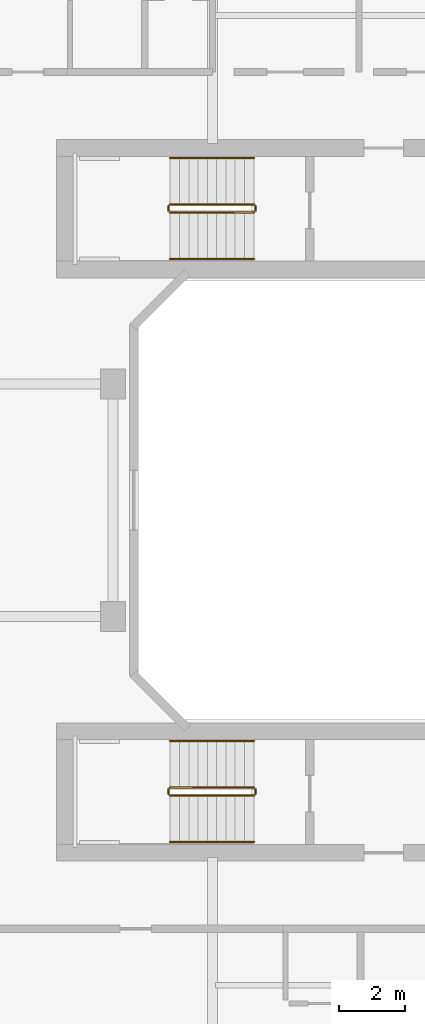
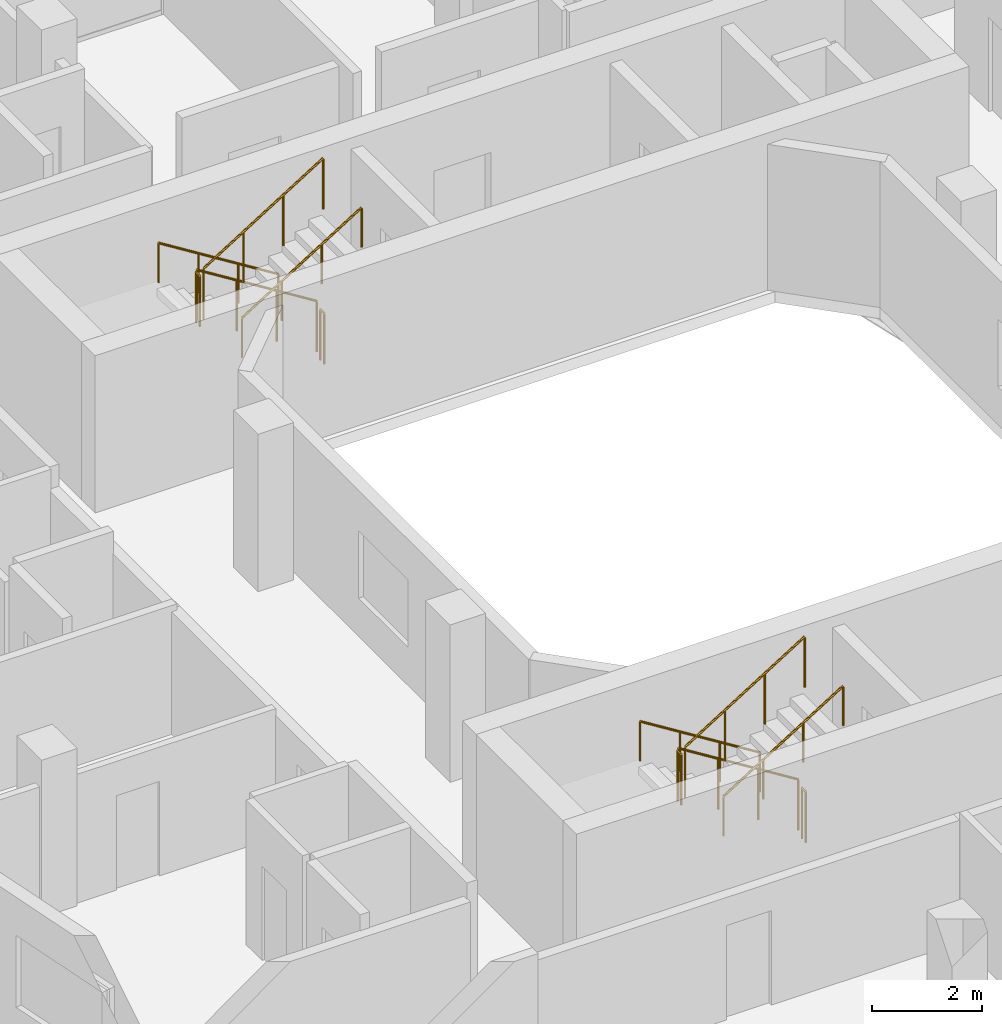
# One storey, part 26 of 26: 12 railings.
"""IFC4 building model written with IfcOpenShell, lengths in metres."""

import ifcopenshell
import ifcopenshell.guid

model = None  # the IFC model being written
_history = None  # IfcOwnerHistory: only IFC2X3 demands one
_inside = {}  # id of a spatial element -> (the spatial element, [elements in it])
_under = {}  # id of a project, library or spatial element -> (it, [spatial elements below it])
_declared = {}  # id of a project -> (the project, [libraries it declares])
_typed = {}  # id of a type object -> (the type object, [elements of that type])
_made_of = {}  # id of a material, layer set ... -> (it, [elements and type objects made of it])


def new_model(schema):
    """Start an empty IFC model of exactly this schema.

    Asked for "IFC4X3", IfcOpenShell would pick the latest addendum, in which some entities
    have other attributes; the version numbers below select the first issue.
    IFC2X3 requires an IfcOwnerHistory on every rooted entity: one is made here for all.
    """
    global model, _history
    if schema == "IFC4X3":
        model = ifcopenshell.file(schema_version=(4, 3, 0, 0))
    else:
        model = ifcopenshell.file(schema=schema)
    _inside.clear()
    _under.clear()
    _declared.clear()
    _typed.clear()
    _made_of.clear()
    _history = None
    if model.schema == "IFC2X3":
        org = make("IfcOrganization", Name="unknown")
        user = make(
            "IfcPersonAndOrganization",
            ThePerson=make("IfcPerson", FamilyName="unknown"),
            TheOrganization=org,
        )
        app = make(
            "IfcApplication",
            ApplicationDeveloper=org,
            Version="unknown",
            ApplicationFullName="unknown",
            ApplicationIdentifier="unknown",
        )
        _history = make(
            "IfcOwnerHistory",
            OwningUser=user,
            OwningApplication=app,
            ChangeAction="ADDED",
            CreationDate=0,
        )
    return model


def make(cls, **values):
    """One entity of the class cls with the attributes given. An attribute that is None is left unset."""
    return model.create_entity(
        cls, **{name: value for name, value in values.items() if value is not None}
    )


def rooted(cls, **values):
    """An entity with a GlobalId (a new one), such as an element, a storey or a relation."""
    return make(cls, GlobalId=ifcopenshell.guid.new(), OwnerHistory=_history, **values)


def si_unit(unit_type, name, prefix=None):
    """IfcSIUnit, for example si_unit("LENGTHUNIT", "METRE", prefix="MILLI")."""
    return make("IfcSIUnit", UnitType=unit_type, Prefix=prefix, Name=name)


def derived_unit(unit_type, elements):
    """IfcDerivedUnit: a product of units, each with its exponent."""
    return make(
        "IfcDerivedUnit",
        Elements=[
            make("IfcDerivedUnitElement", Unit=unit, Exponent=power)
            for unit, power in elements
        ],
        UnitType=unit_type,
    )


def assignment(units):
    """IfcUnitAssignment: the units of a project."""
    return None if units is None else make("IfcUnitAssignment", Units=units)


def point(xyz):
    """IfcCartesianPoint."""
    return None if xyz is None else make("IfcCartesianPoint", Coordinates=xyz)


def direction(xyz):
    """IfcDirection."""
    return None if xyz is None else make("IfcDirection", DirectionRatios=xyz)


def frame(location, z_axis=None, x_axis=None):
    """IfcAxis2Placement3D, a coordinate frame: its origin and axes. An axis left out is left unset."""
    return make(
        "IfcAxis2Placement3D",
        Location=point(location),
        Axis=direction(z_axis),
        RefDirection=direction(x_axis),
    )


def frame_2d(location, x_axis=None):
    """IfcAxis2Placement2D, a coordinate frame in the plane: its origin and x axis."""
    return make(
        "IfcAxis2Placement2D", Location=point(location), RefDirection=direction(x_axis)
    )


def origin():
    """The frame at (0, 0, 0) with its axes left unset."""
    return frame((0.0, 0.0, 0.0))


def origin_2d():
    """The frame at (0, 0) in the plane with its x axis left unset."""
    return frame_2d((0.0, 0.0))


def place(relative_to, where):
    """IfcLocalPlacement: puts the frame where relative to a parent placement (None: the world)."""
    return make(
        "IfcLocalPlacement", PlacementRelTo=relative_to, RelativePlacement=where
    )


def context(
    kind, dimensions, precision=None, world=None, true_north=None, identifier=None
):
    """IfcGeometricRepresentationContext, for example the 3D "Model" context."""
    return make(
        "IfcGeometricRepresentationContext",
        ContextIdentifier=identifier,
        ContextType=kind,
        CoordinateSpaceDimension=dimensions,
        Precision=precision,
        WorldCoordinateSystem=world,
        TrueNorth=true_north,
    )


def subcontext(parent, identifier, kind, view, scale=None):
    """IfcGeometricRepresentationSubContext, for example "Body" below "Model"."""
    return make(
        "IfcGeometricRepresentationSubContext",
        ContextIdentifier=identifier,
        ContextType=kind,
        ParentContext=parent,
        TargetScale=scale,
        TargetView=view,
    )


def project(units=None, contexts=None):
    """IfcProject with its units and contexts."""
    return rooted(
        "IfcProject",
        Name="project",
        RepresentationContexts=contexts,
        UnitsInContext=assignment(units),
    )


def spatial(cls, under=None, at=None, **own):
    """A site, building, storey or space (cls), placed at a placement, below another one or the project."""
    s = rooted(cls, ObjectPlacement=at, **own)
    if under is not None:
        _under.setdefault(under.id(), (under, []))[1].append(s)
    return s


def profile(cls, at=None, kind="AREA", **sizes):
    """A parametric profile (cls). Its sizes go by their IFC names, for example OverallWidth=200.0."""
    return make(cls, ProfileType=kind, Position=at, **sizes)


def circle(**sizes):
    """IfcCircleProfileDef."""
    return profile("IfcCircleProfileDef", **sizes)


def extrude(swept, where, along, depth):
    """IfcExtrudedAreaSolid: the profile swept, set in the frame where, extruded along a direction by depth."""
    return make(
        "IfcExtrudedAreaSolid",
        SweptArea=swept,
        Position=where,
        ExtrudedDirection=direction(along),
        Depth=depth,
    )


def shape(context_of_items, identifier, shape_type, items):
    """IfcShapeRepresentation: the items that make up one representation, for example the "Body"."""
    return make(
        "IfcShapeRepresentation",
        ContextOfItems=context_of_items,
        RepresentationIdentifier=identifier,
        RepresentationType=shape_type,
        Items=items,
    )


def material(Name=None, Category=None):
    """IfcMaterial."""
    return make("IfcMaterial", Name=Name, Category=Category)


def made_of(thing, what):
    """Note that an element or type object is made of a material, layer set ...; save() writes the relation."""
    if what is not None:
        _made_of.setdefault(what.id(), (what, []))[1].append(thing)
    return thing


def type_object(cls, material=None, **own):
    """A type object (cls), such as IfcWallType, which elements share."""
    return made_of(rooted(cls, **own), material)


def element(
    cls,
    number,
    at=None,
    inside=None,
    cuts=None,
    type_object=None,
    material=None,
    context=None,
    identifier="Body",
    shape_type=None,
    held_by="IfcProductDefinitionShape",
    body=None,
    shapes=None,
    **own,
):
    """One element of the class cls, such as IfcWall. Its Tag is "e" and its number.

    at: its placement. inside: the storey or other place that contains it. cuts: it is an
    opening in that element (IfcRelVoidsElement). A single representation is given by context,
    identifier, shape_type and body (its items); several are given by shapes. held_by: the class
    of the entity that holds the representations. save() writes the other relations.
    """
    e = rooted(cls, Tag="e%d" % number, ObjectPlacement=at, **own)
    if body is not None:
        shapes = [shape(context, identifier, shape_type, body)]
    if shapes is not None:
        e.Representation = make(held_by, Representations=shapes)
    if inside is not None:
        _inside.setdefault(inside.id(), (inside, []))[1].append(e)
    if cuts is not None:
        rooted(
            "IfcRelVoidsElement", RelatingBuildingElement=cuts, RelatedOpeningElement=e
        )
    if type_object is not None:
        _typed.setdefault(type_object.id(), (type_object, []))[1].append(e)
    return made_of(e, material)


def aggregate(whole, parts):
    """IfcRelAggregates: a whole, such as a stair, and the parts it consists of."""
    return rooted("IfcRelAggregates", RelatingObject=whole, RelatedObjects=parts)


def save(model, path):
    """Write the relations noted so far, then the file.

    IfcRelAggregates (storeys below a building ...), IfcRelContainedInSpatialStructure (elements
    in a storey), IfcRelDefinesByType, IfcRelAssociatesMaterial and IfcRelDeclares: one each for
    every whole, place, type object, material and project.
    """
    for whole, parts in _under.values():
        aggregate(whole, parts)
    for where, things in _inside.values():
        rooted(
            "IfcRelContainedInSpatialStructure",
            RelatedElements=things,
            RelatingStructure=where,
        )
    for kind, things in _typed.values():
        rooted("IfcRelDefinesByType", RelatedObjects=things, RelatingType=kind)
    for what, things in _made_of.values():
        rooted("IfcRelAssociatesMaterial", RelatedObjects=things, RelatingMaterial=what)
    for by, libraries in _declared.values():
        rooted("IfcRelDeclares", RelatingContext=by, RelatedDefinitions=libraries)
    model.write(path)


model = new_model("IFC4")

# Units and contexts
model_context = context("Model", 3, precision=1e-05, world=origin(), true_north=direction((0.0, 1.0)))
body_context = subcontext(model_context, "Body", "Model", "MODEL_VIEW")
ifc_project = project(units=[si_unit("LENGTHUNIT", "METRE"), si_unit("AREAUNIT", "SQUARE_METRE"), si_unit("VOLUMEUNIT", "CUBIC_METRE"), si_unit("PLANEANGLEUNIT", "RADIAN"), si_unit("MASSUNIT", "GRAM", prefix="KILO"), derived_unit("THERMALTRANSMITTANCEUNIT", [(si_unit("POWERUNIT", "WATT"), 1), (si_unit("LENGTHUNIT", "METRE"), -2), (si_unit("THERMODYNAMICTEMPERATUREUNIT", "KELVIN"), -1)])], contexts=[model_context])

# Site, building, storey
site_placement = place(None, origin())
site = spatial("IfcSite", under=ifc_project, at=site_placement, CompositionType="ELEMENT")
building_placement = place(site_placement, origin())
building = spatial("IfcBuilding", under=site, at=building_placement, Name="Kivonza Crest Hotel", CompositionType="ELEMENT")
storey_placement = place(building_placement, frame((0.0, 0.0, 62.5)))
storey = spatial("IfcBuildingStorey", under=building, at=storey_placement, Name="L16", CompositionType="ELEMENT", Elevation=62.5)

# Railings
ifc_material_1 = material(Name="Brushed stainless steel handrail", Category="steel")
railing_type_1 = type_object("IfcRailingType", Name="RL-HAND-900", PredefinedType="HANDRAIL", material=ifc_material_1)
railing_1_placement = place(storey_placement, frame((73.840087890625, 35.31005859375, 0.175048828125)))
element("IfcRailing", 1, at=railing_1_placement, inside=storey, type_object=railing_type_1, Name="L16 ST-T2-N stair handrail 1", PredefinedType="HANDRAIL", context=body_context, shape_type="SweptSolid", body=[
    extrude(circle(Radius=0.02392578125, at=origin_2d()), frame((0.0, 0.0, 0.8759765625), z_axis=(-0.848007534815, 0.0, 0.529984170421), x_axis=(0.0, -1.0, 0.0)), (0.0, 0.0, 1.0), 2.9716796875),
    extrude(circle(Radius=0.02099609375, at=origin_2d()), origin(), (0.0, 0.0, 1.0), 0.851806640625),
    extrude(circle(Radius=0.02099609375, at=origin_2d()), frame((-0.840087890625, 0.0, 0.52490234375)), (0.0, 0.0, 1.0), 0.851806640625),
    extrude(circle(Radius=0.02099609375, at=origin_2d()), frame((-1.679931640625, 0.0, 1.050048828125)), (0.0, 0.0, 1.0), 0.851806640625),
    extrude(circle(Radius=0.02099609375, at=origin_2d()), frame((-2.52001953125, 0.0, 1.574951171875)), (0.0, 0.0, 1.0), 0.851806640625),
])
railing_2_placement = place(storey_placement, frame((71.320068359375, 32.27001953125, 1.925048828125)))
element("IfcRailing", 2, at=railing_2_placement, inside=storey, type_object=railing_type_1, Name="L16 ST-T2-N stair handrail 2", PredefinedType="HANDRAIL", context=body_context, shape_type="SweptSolid", body=[
    extrude(circle(Radius=0.02392578125, at=origin_2d()), frame((0.0, 0.0, 0.8759765625), z_axis=(0.848007534815, 0.0, 0.529984170421), x_axis=(0.0, 1.0, 0.0)), (0.0, 0.0, 1.0), 2.9716796875),
    extrude(circle(Radius=0.02099609375, at=origin_2d()), origin(), (0.0, 0.0, 1.0), 0.851806640625),
    extrude(circle(Radius=0.02099609375, at=origin_2d()), frame((0.840087890625, 0.0, 0.52490234375)), (0.0, 0.0, 1.0), 0.851806640625),
    extrude(circle(Radius=0.02099609375, at=origin_2d()), frame((1.679931640625, 0.0, 1.050048828125)), (0.0, 0.0, 1.0), 0.851806640625),
    extrude(circle(Radius=0.02099609375, at=origin_2d()), frame((2.52001953125, 0.0, 1.574951171875)), (0.0, 0.0, 1.0), 0.851806640625),
])
railing_3_placement = place(storey_placement, frame((73.840087890625, 17.75, 0.175048828125)))
element("IfcRailing", 3, at=railing_3_placement, inside=storey, type_object=railing_type_1, Name="L16 ST-T2-S stair handrail 1", PredefinedType="HANDRAIL", context=body_context, shape_type="SweptSolid", body=[
    extrude(circle(Radius=0.02392578125, at=origin_2d()), frame((0.0, 0.0, 0.8759765625), z_axis=(-0.848007534815, 0.0, 0.529984170421), x_axis=(0.0, -1.0, 0.0)), (0.0, 0.0, 1.0), 2.9716796875),
    extrude(circle(Radius=0.02099609375, at=origin_2d()), origin(), (0.0, 0.0, 1.0), 0.851806640625),
    extrude(circle(Radius=0.02099609375, at=origin_2d()), frame((-0.840087890625, 0.0, 0.52490234375)), (0.0, 0.0, 1.0), 0.851806640625),
    extrude(circle(Radius=0.02099609375, at=origin_2d()), frame((-1.679931640625, 0.0, 1.050048828125)), (0.0, 0.0, 1.0), 0.851806640625),
    extrude(circle(Radius=0.02099609375, at=origin_2d()), frame((-2.52001953125, 0.0, 1.574951171875)), (0.0, 0.0, 1.0), 0.851806640625),
])
railing_4_placement = place(storey_placement, frame((71.320068359375, 14.7099609375, 1.925048828125)))
element("IfcRailing", 4, at=railing_4_placement, inside=storey, type_object=railing_type_1, Name="L16 ST-T2-S stair handrail 2", PredefinedType="HANDRAIL", context=body_context, shape_type="SweptSolid", body=[
    extrude(circle(Radius=0.02392578125, at=origin_2d()), frame((0.0, 0.0, 0.8759765625), z_axis=(0.848007534815, 0.0, 0.529984170421), x_axis=(0.0, 1.0, 0.0)), (0.0, 0.0, 1.0), 2.9716796875),
    extrude(circle(Radius=0.02099609375, at=origin_2d()), origin(), (0.0, 0.0, 1.0), 0.851806640625),
    extrude(circle(Radius=0.02099609375, at=origin_2d()), frame((0.840087890625, 0.0, 0.52490234375)), (0.0, 0.0, 1.0), 0.851806640625),
    extrude(circle(Radius=0.02099609375, at=origin_2d()), frame((1.679931640625, 0.0, 1.050048828125)), (0.0, 0.0, 1.0), 0.851806640625),
    extrude(circle(Radius=0.02099609375, at=origin_2d()), frame((2.52001953125, 0.0, 1.574951171875)), (0.0, 0.0, 1.0), 0.851806640625),
])
ifc_material_2 = material(Name="Painted steel balustrade", Category="steel")
railing_type_2 = type_object("IfcRailingType", Name="RL-STAIR-1150", PredefinedType="BALUSTRADE", material=ifc_material_2)
railing_5_placement = place(storey_placement, frame((73.840087890625, 33.909912109375, 0.175048828125)))
element("IfcRailing", 5, at=railing_5_placement, inside=storey, type_object=railing_type_2, Name="L16 ST-T2-N stair guard 1", PredefinedType="BALUSTRADE", context=body_context, shape_type="SweptSolid", body=[
    extrude(circle(Radius=0.02392578125, at=origin_2d()), frame((0.0, 0.0, 1.1259765625), z_axis=(-0.848007534815, 0.0, 0.529984170421), x_axis=(0.0, -1.0, 0.0)), (0.0, 0.0, 1.0), 2.9716796875),
    extrude(circle(Radius=0.02099609375, at=origin_2d()), origin(), (0.0, 0.0, 1.0), 1.101806640625),
    extrude(circle(Radius=0.02099609375, at=origin_2d()), frame((-0.840087890625, 0.0, 0.52490234375)), (0.0, 0.0, 1.0), 1.101806640625),
    extrude(circle(Radius=0.02099609375, at=origin_2d()), frame((-1.679931640625, 0.0, 1.050048828125)), (0.0, 0.0, 1.0), 1.101806640625),
    extrude(circle(Radius=0.02099609375, at=origin_2d()), frame((-2.52001953125, 0.0, 1.574951171875)), (0.0, 0.0, 1.0), 1.101806640625),
])
railing_6_placement = place(storey_placement, frame((71.27001953125, 33.860107421875, 1.75)))
element("IfcRailing", 6, at=railing_6_placement, inside=storey, type_object=railing_type_2, Name="L16 ST-T2-N stair guard 2", PredefinedType="BALUSTRADE", context=body_context, shape_type="SweptSolid", body=[
    extrude(circle(Radius=0.02392578125, at=origin_2d()), frame((0.0, 0.0, 1.1259765625), z_axis=(0.0, -1.0, 0.0), x_axis=(1.0, 0.0, 0.0)), (0.0, 0.0, 1.0), 0.14013671875),
    extrude(circle(Radius=0.02099609375, at=origin_2d()), origin(), (0.0, 0.0, 1.0), 1.101806640625),
    extrude(circle(Radius=0.02099609375, at=origin_2d()), frame((0.0, -0.14013671875, 0.0)), (0.0, 0.0, 1.0), 1.101806640625),
])
railing_7_placement = place(storey_placement, frame((71.320068359375, 33.669921875, 1.925048828125)))
element("IfcRailing", 7, at=railing_7_placement, inside=storey, type_object=railing_type_2, Name="L16 ST-T2-N stair guard 3", PredefinedType="BALUSTRADE", context=body_context, shape_type="SweptSolid", body=[
    extrude(circle(Radius=0.02392578125, at=origin_2d()), frame((0.0, 0.0, 1.1259765625), z_axis=(0.848007534815, 0.0, 0.529984170421), x_axis=(0.0, 1.0, 0.0)), (0.0, 0.0, 1.0), 2.9716796875),
    extrude(circle(Radius=0.02099609375, at=origin_2d()), origin(), (0.0, 0.0, 1.0), 1.101806640625),
    extrude(circle(Radius=0.02099609375, at=origin_2d()), frame((0.840087890625, 0.0, 0.52490234375)), (0.0, 0.0, 1.0), 1.101806640625),
    extrude(circle(Radius=0.02099609375, at=origin_2d()), frame((1.679931640625, 0.0, 1.050048828125)), (0.0, 0.0, 1.0), 1.101806640625),
    extrude(circle(Radius=0.02099609375, at=origin_2d()), frame((2.52001953125, 0.0, 1.574951171875)), (0.0, 0.0, 1.0), 1.101806640625),
])
railing_8_placement = place(storey_placement, frame((73.889892578125, 33.860107421875, 0.0)))
element("IfcRailing", 8, at=railing_8_placement, inside=storey, type_object=railing_type_2, Name="L16 ST-T2-N stair guard 4", PredefinedType="BALUSTRADE", context=body_context, shape_type="SweptSolid", body=[
    extrude(circle(Radius=0.02392578125, at=origin_2d()), frame((0.0, 0.0, 1.1259765625), z_axis=(0.0, -1.0, 0.0), x_axis=(1.0, 0.0, 0.0)), (0.0, 0.0, 1.0), 0.14013671875),
    extrude(circle(Radius=0.02099609375, at=origin_2d()), origin(), (0.0, 0.0, 1.0), 1.101806640625),
    extrude(circle(Radius=0.02099609375, at=origin_2d()), frame((0.0, -0.14013671875, 0.0)), (0.0, 0.0, 1.0), 1.101806640625),
])
railing_9_placement = place(storey_placement, frame((73.840087890625, 16.35009765625, 0.175048828125)))
element("IfcRailing", 9, at=railing_9_placement, inside=storey, type_object=railing_type_2, Name="L16 ST-T2-S stair guard 1", PredefinedType="BALUSTRADE", context=body_context, shape_type="SweptSolid", body=[
    extrude(circle(Radius=0.02392578125, at=origin_2d()), frame((0.0, 0.0, 1.1259765625), z_axis=(-0.848007534815, 0.0, 0.529984170421), x_axis=(0.0, -1.0, 0.0)), (0.0, 0.0, 1.0), 2.9716796875),
    extrude(circle(Radius=0.02099609375, at=origin_2d()), origin(), (0.0, 0.0, 1.0), 1.101806640625),
    extrude(circle(Radius=0.02099609375, at=origin_2d()), frame((-0.840087890625, 0.0, 0.52490234375)), (0.0, 0.0, 1.0), 1.101806640625),
    extrude(circle(Radius=0.02099609375, at=origin_2d()), frame((-1.679931640625, 0.0, 1.050048828125)), (0.0, 0.0, 1.0), 1.101806640625),
    extrude(circle(Radius=0.02099609375, at=origin_2d()), frame((-2.52001953125, 0.0, 1.574951171875)), (0.0, 0.0, 1.0), 1.101806640625),
])
railing_10_placement = place(storey_placement, frame((71.27001953125, 16.300048828125, 1.75)))
element("IfcRailing", 10, at=railing_10_placement, inside=storey, type_object=railing_type_2, Name="L16 ST-T2-S stair guard 2", PredefinedType="BALUSTRADE", context=body_context, shape_type="SweptSolid", body=[
    extrude(circle(Radius=0.02392578125, at=origin_2d()), frame((0.0, 0.0, 1.1259765625), z_axis=(0.0, -1.0, 0.0), x_axis=(1.0, 0.0, 0.0)), (0.0, 0.0, 1.0), 0.14013671875),
    extrude(circle(Radius=0.02099609375, at=origin_2d()), origin(), (0.0, 0.0, 1.0), 1.101806640625),
    extrude(circle(Radius=0.02099609375, at=origin_2d()), frame((0.0, -0.14013671875, 0.0)), (0.0, 0.0, 1.0), 1.101806640625),
])
railing_11_placement = place(storey_placement, frame((71.320068359375, 16.110107421875, 1.925048828125)))
element("IfcRailing", 11, at=railing_11_placement, inside=storey, type_object=railing_type_2, Name="L16 ST-T2-S stair guard 3", PredefinedType="BALUSTRADE", context=body_context, shape_type="SweptSolid", body=[
    extrude(circle(Radius=0.02392578125, at=origin_2d()), frame((0.0, 0.0, 1.1259765625), z_axis=(0.848007534815, 0.0, 0.529984170421), x_axis=(0.0, 1.0, 0.0)), (0.0, 0.0, 1.0), 2.9716796875),
    extrude(circle(Radius=0.02099609375, at=origin_2d()), origin(), (0.0, 0.0, 1.0), 1.101806640625),
    extrude(circle(Radius=0.02099609375, at=origin_2d()), frame((0.840087890625, 0.0, 0.52490234375)), (0.0, 0.0, 1.0), 1.101806640625),
    extrude(circle(Radius=0.02099609375, at=origin_2d()), frame((1.679931640625, 0.0, 1.050048828125)), (0.0, 0.0, 1.0), 1.101806640625),
    extrude(circle(Radius=0.02099609375, at=origin_2d()), frame((2.52001953125, 0.0, 1.574951171875)), (0.0, 0.0, 1.0), 1.101806640625),
])
railing_12_placement = place(storey_placement, frame((73.889892578125, 16.300048828125, 0.0)))
element("IfcRailing", 12, at=railing_12_placement, inside=storey, type_object=railing_type_2, Name="L16 ST-T2-S stair guard 4", PredefinedType="BALUSTRADE", context=body_context, shape_type="SweptSolid", body=[
    extrude(circle(Radius=0.02392578125, at=origin_2d()), frame((0.0, 0.0, 1.1259765625), z_axis=(0.0, -1.0, 0.0), x_axis=(1.0, 0.0, 0.0)), (0.0, 0.0, 1.0), 0.14013671875),
    extrude(circle(Radius=0.02099609375, at=origin_2d()), origin(), (0.0, 0.0, 1.0), 1.101806640625),
    extrude(circle(Radius=0.02099609375, at=origin_2d()), frame((0.0, -0.14013671875, 0.0)), (0.0, 0.0, 1.0), 1.101806640625),
])

save(model, "model.ifc")
